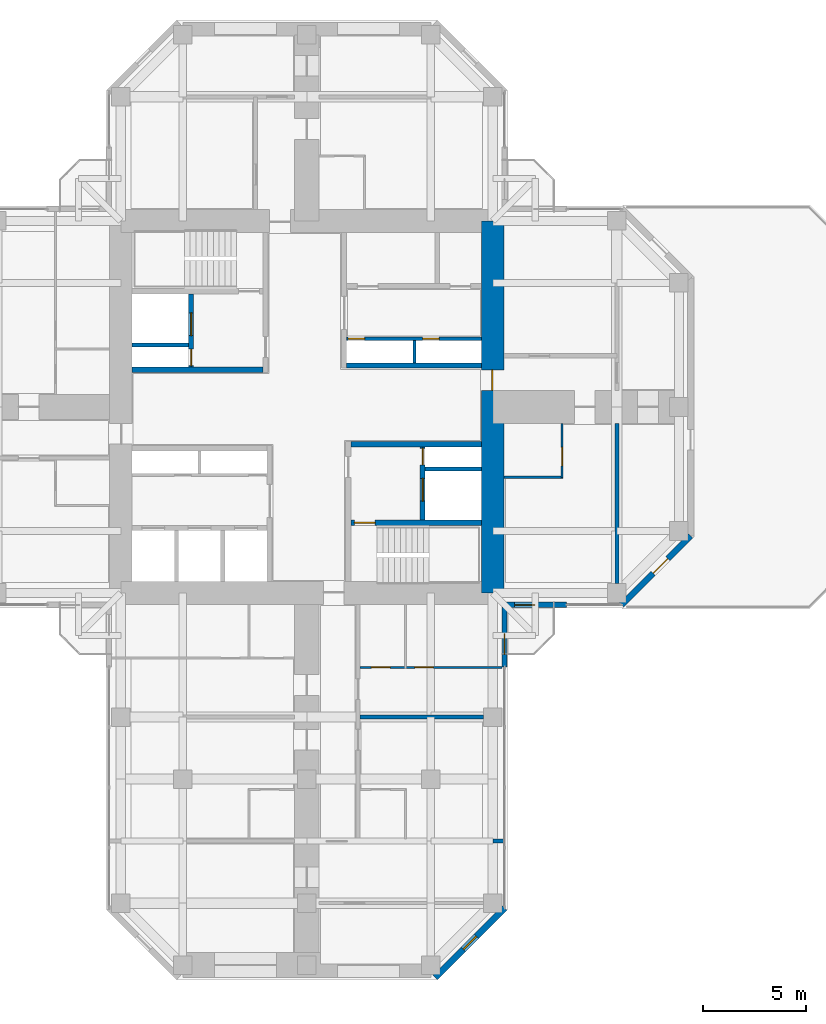
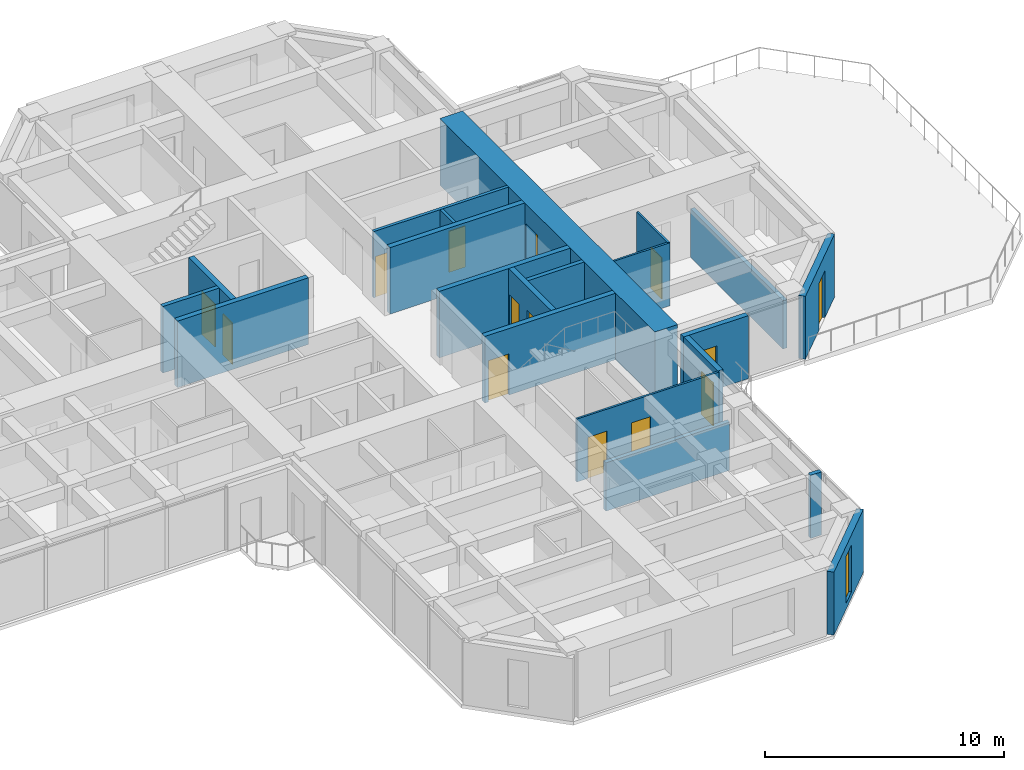
# One storey, part 10 of 14: 21 walls, 14 doors, 1 window, 15 openings.
"""IFC4 building model written with IfcOpenShell, lengths in metres."""

from ifc_helpers import new_model, si_unit, direction, frame, frame_2d, origin, place, context, subcontext, project, spatial, rectangle, hollow_rectangle, extrude, material, layer, layer_set, constituent, constituent_set, type_object, element, fill, save


model = new_model("IFC4")

# Units and contexts
model_context = context("Model", 3, precision=1e-05, world=origin(), true_north=direction((0.0, 1.0)))
body_context = subcontext(model_context, "Body", "Model", "MODEL_VIEW")
ifc_project = project(units=[si_unit("LENGTHUNIT", "METRE"), si_unit("AREAUNIT", "SQUARE_METRE"), si_unit("VOLUMEUNIT", "CUBIC_METRE"), si_unit("PLANEANGLEUNIT", "RADIAN"), si_unit("MASSUNIT", "GRAM", prefix="KILO")], contexts=[model_context])

# Site, building, storey
site_placement = place(None, origin())
site = spatial("IfcSite", under=ifc_project, at=site_placement, CompositionType="ELEMENT")
building_placement = place(site_placement, origin())
building = spatial("IfcBuilding", under=site, at=building_placement, Name="Torre Cruceta", CompositionType="ELEMENT")
storey_placement = place(building_placement, frame((0.0, 0.0, 169.5)))
storey = spatial("IfcBuildingStorey", under=building, at=storey_placement, Name="L41", CompositionType="ELEMENT", Elevation=169.5)

# Wall
ifc_material_1 = material(Name="Water-resistant plasterboard on steel studs", Category="steel")
ifc_layer_1 = layer(ifc_material_1, 0.10009765625)
ifc_layer_set_1 = layer_set([ifc_layer_1], Name="Water-resistant plasterboard on steel studs")
wall_type_1 = type_object("IfcWallType", Name="BATHROOM WALL 100", PredefinedType="PARTITIONING", material=ifc_layer_set_1)
wall_1_placement = place(storey_placement, frame((9.550048828125, -3.39990234375, 0.0), z_axis=(0.0, 0.0, 1.0), x_axis=(1.0, 0.0, 0.0)))
element("IfcWall", 1, at=wall_1_placement, inside=storey, type_object=wall_type_1, Name="PT4 L41-E-U1RBB", PredefinedType="PARTITIONING", context=body_context, shape_type="SweptSolid", body=[
    extrude(rectangle(XDim=2.849853515625, YDim=0.10009765625, at=frame_2d((1.4248046875, 0.0))), origin(), (0.0, 0.0, 1.0), 3.219970703125),
])

# Wall, opening, door
wall_2_placement = place(storey_placement, frame((12.35009765625, -3.39990234375, 0.0), z_axis=(0.0, 0.0, 1.0), x_axis=(0.0, 1.0, 0.0)))
wall_2 = element("IfcWall", 2, at=wall_2_placement, inside=storey, type_object=wall_type_1, Name="PT4 L41-E-U1RBS", PredefinedType="PARTITIONING", context=body_context, shape_type="SweptSolid", body=[
    extrude(rectangle(XDim=2.599853515625, YDim=0.10009765625, at=frame_2d((1.2998046875, 0.0))), origin(), (0.0, 0.0, 1.0), 3.219970703125),
])
opening_1_placement = place(wall_2_placement, frame((0.550048828125, 0.0, 0.0)))
opening_1 = element("IfcOpeningElement", 3, at=opening_1_placement, cuts=wall_2, Name="Opening D7", PredefinedType="OPENING", context=body_context, shape_type="SweptSolid", body=[
    extrude(rectangle(XDim=0.89990234375, YDim=2.10009765625, at=frame_2d((0.449951171875, 1.050048828125))), frame((0.0, 0.06005859375, 0.0), z_axis=(0.0, -1.0, 0.0), x_axis=(1.0, 0.0, 0.0)), (0.0, 0.0, 1.0), 0.1201171875),
])
ifc_material_2 = material(Name="Timber door", Category="wood")
door_type_1 = type_object("IfcDoorType", Name="BATHROOM DOOR 900X2100", OperationType="SINGLE_SWING_LEFT", PredefinedType="DOOR", material=ifc_material_2)
door_1_placement = place(opening_1_placement, origin())
door_1 = element("IfcDoor", 4, at=door_1_placement, inside=storey, type_object=door_type_1, Name="D7 L41-E-U1RBS-D1", OperationType="SINGLE_SWING_LEFT", OverallHeight=2.10009765625, OverallWidth=0.89990234375, PredefinedType="DOOR", context=body_context, shape_type="SweptSolid", body=[
    extrude(rectangle(XDim=0.89990234375, YDim=2.10009765625, at=frame_2d((0.449951171875, 1.050048828125))), frame((0.0, 0.02490234375, 0.0), z_axis=(0.0, -1.0, 0.0), x_axis=(1.0, 0.0, 0.0)), (0.0, 0.0, 1.0), 0.050048828125),
])
fill(opening_1, door_1)

# Wall, openings, doors
wall_3_placement = place(storey_placement, frame((2.574951171875, -12.60009765625, 0.0), z_axis=(0.0, 0.0, 1.0), x_axis=(1.0, 0.0, 0.0)))
wall_3 = element("IfcWall", 5, at=wall_3_placement, inside=storey, type_object=wall_type_1, Name="PT4 L41-S-U1LBS", PredefinedType="PARTITIONING", context=body_context, shape_type="SweptSolid", body=[
    extrude(rectangle(XDim=6.8701171875, YDim=0.10009765625, at=frame_2d((3.43505859375, 0.0))), origin(), (0.0, 0.0, 1.0), 3.219970703125),
])
opening_2_placement = place(wall_3_placement, frame((0.550048828125, 0.0, 0.0)))
opening_2 = element("IfcOpeningElement", 6, at=opening_2_placement, cuts=wall_3, Name="Opening D7", PredefinedType="OPENING", context=body_context, shape_type="SweptSolid", body=[
    extrude(rectangle(XDim=0.89990234375, YDim=2.10009765625, at=frame_2d((0.449951171875, 1.050048828125))), frame((0.0, 0.06005859375, 0.0), z_axis=(0.0, -1.0, 0.0), x_axis=(1.0, 0.0, 0.0)), (0.0, 0.0, 1.0), 0.1201171875),
])
opening_3_placement = place(wall_3_placement, frame((2.64990234375, 0.0, 0.0)))
opening_3 = element("IfcOpeningElement", 7, at=opening_3_placement, cuts=wall_3, Name="Opening D7", PredefinedType="OPENING", context=body_context, shape_type="SweptSolid", body=[
    extrude(rectangle(XDim=0.89990234375, YDim=2.10009765625, at=frame_2d((0.449951171875, 1.050048828125))), frame((0.0, 0.06005859375, 0.0), z_axis=(0.0, -1.0, 0.0), x_axis=(1.0, 0.0, 0.0)), (0.0, 0.0, 1.0), 0.1201171875),
])
door_2_placement = place(opening_2_placement, origin())
door_2 = element("IfcDoor", 8, at=door_2_placement, inside=storey, type_object=door_type_1, Name="D7 L41-S-U1LBS-D1", OperationType="SINGLE_SWING_LEFT", OverallHeight=2.10009765625, OverallWidth=0.89990234375, PredefinedType="DOOR", context=body_context, shape_type="SweptSolid", body=[
    extrude(rectangle(XDim=0.89990234375, YDim=2.10009765625, at=frame_2d((0.449951171875, 1.050048828125))), frame((0.0, 0.02490234375, 0.0), z_axis=(0.0, -1.0, 0.0), x_axis=(1.0, 0.0, 0.0)), (0.0, 0.0, 1.0), 0.050048828125),
])
fill(opening_2, door_2)
door_3_placement = place(opening_3_placement, origin())
door_3 = element("IfcDoor", 9, at=door_3_placement, inside=storey, type_object=door_type_1, Name="D7 L41-S-U1LBS-D2", OperationType="SINGLE_SWING_LEFT", OverallHeight=2.10009765625, OverallWidth=0.89990234375, PredefinedType="DOOR", context=body_context, shape_type="SweptSolid", body=[
    extrude(rectangle(XDim=0.89990234375, YDim=2.10009765625, at=frame_2d((0.449951171875, 1.050048828125))), frame((0.0, 0.02490234375, 0.0), z_axis=(0.0, -1.0, 0.0), x_axis=(1.0, 0.0, 0.0)), (0.0, 0.0, 1.0), 0.050048828125),
])
fill(opening_3, door_3)

# Walls
ifc_material_3 = material(Name="Concrete G60 (fck 60 MPa)", Category="concrete")
ifc_layer_2 = layer(ifc_material_3, 0.25)
ifc_layer_set_2 = layer_set([ifc_layer_2], Name="Concrete G60 (fck 60 MPa)")
wall_type_2 = type_object("IfcWallType", Name="CORE INNER WALL 250 G60", PredefinedType="SHEAR", material=ifc_layer_set_2)
wall_4_placement = place(storey_placement, frame((1.925048828125, 2.0, 0.0), z_axis=(0.0, 0.0, 1.0), x_axis=(1.0, 0.0, 0.0)))
element("IfcWall", 10, at=wall_4_placement, inside=storey, type_object=wall_type_2, Name="CW4 L41 NE-CV", PredefinedType="SHEAR", context=body_context, shape_type="SweptSolid", body=[
    extrude(rectangle(XDim=6.52490234375, YDim=0.25, at=frame_2d((3.262451171875, 0.0))), origin(), (0.0, 0.0, 1.0), 3.39990234375),
])
wall_5_placement = place(storey_placement, frame((-2.125, 1.800048828125, 0.0), z_axis=(0.0, 0.0, 1.0), x_axis=(-1.0, 0.0, 0.0)))
element("IfcWall", 11, at=wall_5_placement, inside=storey, type_object=wall_type_2, Name="CW4 L41 NW-CV", PredefinedType="SHEAR", context=body_context, shape_type="SweptSolid", body=[
    extrude(rectangle(XDim=6.324951171875, YDim=0.25, at=frame_2d((3.16259765625, 0.0))), origin(), (0.0, 0.0, 1.0), 3.39990234375),
])

# Wall, openings, doors
wall_6_placement = place(storey_placement, frame((-5.60009765625, 1.925048828125, 0.0), z_axis=(0.0, 0.0, 1.0), x_axis=(0.0, 1.0, 0.0)))
wall_6 = element("IfcWall", 12, at=wall_6_placement, inside=storey, type_object=wall_type_2, Name="CW4 L41 NW-FU", PredefinedType="SHEAR", context=body_context, shape_type="SweptSolid", body=[
    extrude(rectangle(XDim=3.550048828125, YDim=0.25, at=frame_2d((1.77490234375, 0.0))), origin(), (0.0, 0.0, 1.0), 3.39990234375),
])
opening_4_placement = place(wall_6_placement, frame((1.52490234375, 0.0, 0.0)))
opening_4 = element("IfcOpeningElement", 13, at=opening_4_placement, cuts=wall_6, Name="Opening LD1", PredefinedType="OPENING", context=body_context, shape_type="SweptSolid", body=[
    extrude(rectangle(XDim=1.10009765625, YDim=2.199951171875, at=frame_2d((0.550048828125, 1.10009765625))), frame((0.0, 0.135009765625, 0.0), z_axis=(0.0, -1.0, 0.0), x_axis=(1.0, 0.0, 0.0)), (0.0, 0.0, 1.0), 0.27001953125),
])
opening_5_placement = place(wall_6_placement, frame((0.074951171875, 0.0, 0.0)))
opening_5 = element("IfcOpeningElement", 14, at=opening_5_placement, cuts=wall_6, Name="Opening D5", PredefinedType="OPENING", context=body_context, shape_type="SweptSolid", body=[
    extrude(rectangle(XDim=0.800048828125, YDim=2.10009765625, at=frame_2d((0.39990234375, 1.050048828125))), frame((0.0, 0.135009765625, 0.0), z_axis=(0.0, -1.0, 0.0), x_axis=(1.0, 0.0, 0.0)), (0.0, 0.0, 1.0), 0.27001953125),
])
ifc_material_4 = material(Name="Stainless steel 1.4401", Category="steel")
door_type_2 = type_object("IfcDoorType", Name="LIFT LANDING DOOR 1100X2200", OperationType="DOUBLE_DOOR_SLIDING", PredefinedType="DOOR", material=ifc_material_4)
door_4_placement = place(opening_4_placement, origin())
door_4 = element("IfcDoor", 15, at=door_4_placement, inside=storey, type_object=door_type_2, Name="Lift landing door FL1", OperationType="DOUBLE_DOOR_SLIDING", OverallHeight=2.199951171875, OverallWidth=1.10009765625, PredefinedType="DOOR", context=body_context, shape_type="SweptSolid", body=[
    extrude(rectangle(XDim=1.10009765625, YDim=2.199951171875, at=frame_2d((0.550048828125, 1.10009765625))), frame((0.0, 0.02490234375, 0.0), z_axis=(0.0, -1.0, 0.0), x_axis=(1.0, 0.0, 0.0)), (0.0, 0.0, 1.0), 0.050048828125),
])
fill(opening_4, door_4)
ifc_material_5 = material(Name="Steel DX51D", Category="steel")
ifc_constituent_1 = constituent(ifc_material_5, Name="Leaf and frame")
ifc_material_6 = material(Name="Polyester powder coating", Category="paint")
ifc_constituent_2 = constituent(ifc_material_6, Name="Finish")
ifc_constituent_set_1 = constituent_set(constituents=[ifc_constituent_1, ifc_constituent_2], Name="Steel fire door")
door_type_3 = type_object("IfcDoorType", Name="RISER ACCESS DOOR 800X2100", OperationType="SINGLE_SWING_LEFT", PredefinedType="DOOR", material=ifc_constituent_set_1)
door_5_placement = place(opening_5_placement, origin())
door_5 = element("IfcDoor", 16, at=door_5_placement, inside=storey, type_object=door_type_3, Name="D5 L41 NW-RISER", OperationType="SINGLE_SWING_LEFT", OverallHeight=2.10009765625, OverallWidth=0.800048828125, PredefinedType="DOOR", context=body_context, shape_type="SweptSolid", body=[
    extrude(rectangle(XDim=0.800048828125, YDim=2.10009765625, at=frame_2d((0.39990234375, 1.050048828125))), frame((0.0, 0.02490234375, 0.0), z_axis=(0.0, -1.0, 0.0), x_axis=(1.0, 0.0, 0.0)), (0.0, 0.0, 1.0), 0.050048828125),
])
fill(opening_5, door_5)

# Wall
wall_7_placement = place(storey_placement, frame((2.125, -1.800048828125, 0.0), z_axis=(0.0, 0.0, 1.0), x_axis=(1.0, 0.0, 0.0)))
element("IfcWall", 17, at=wall_7_placement, inside=storey, type_object=wall_type_2, Name="CW4 L41 SE-CV", PredefinedType="SHEAR", context=body_context, shape_type="SweptSolid", body=[
    extrude(rectangle(XDim=6.324951171875, YDim=0.25, at=frame_2d((3.16259765625, 0.0))), origin(), (0.0, 0.0, 1.0), 3.39990234375),
])

# Wall, opening, door
wall_8_placement = place(storey_placement, frame((2.125, -5.60009765625, 0.0), z_axis=(0.0, 0.0, 1.0), x_axis=(1.0, 0.0, 0.0)))
wall_8 = element("IfcWall", 18, at=wall_8_placement, inside=storey, type_object=wall_type_2, Name="CW4 L41 SE-SV", PredefinedType="SHEAR", context=body_context, shape_type="SweptSolid", body=[
    extrude(rectangle(XDim=6.324951171875, YDim=0.25, at=frame_2d((3.16259765625, 0.0))), origin(), (0.0, 0.0, 1.0), 3.39990234375),
])
opening_6_placement = place(wall_8_placement, frame((0.175048828125, 0.0, 0.0)))
opening_6 = element("IfcOpeningElement", 19, at=opening_6_placement, cuts=wall_8, Name="Opening D3", PredefinedType="OPENING", context=body_context, shape_type="SweptSolid", body=[
    extrude(rectangle(XDim=1.0, YDim=2.10009765625, at=frame_2d((0.5, 1.050048828125))), frame((0.0, 0.135009765625, 0.0), z_axis=(0.0, -1.0, 0.0), x_axis=(1.0, 0.0, 0.0)), (0.0, 0.0, 1.0), 0.27001953125),
])
ifc_material_7 = material(Name="Steel DX51D", Category="steel")
ifc_constituent_3 = constituent(ifc_material_7, Name="Leaf and frame")
ifc_material_8 = material(Name="Polyester powder coating", Category="paint")
ifc_constituent_4 = constituent(ifc_material_8, Name="Finish")
ifc_constituent_set_2 = constituent_set(constituents=[ifc_constituent_3, ifc_constituent_4], Name="Steel fire door")
door_type_4 = type_object("IfcDoorType", Name="FIRE DOOR 1000X2100", OperationType="SINGLE_SWING_LEFT", PredefinedType="DOOR", material=ifc_constituent_set_2)
door_6_placement = place(opening_6_placement, frame((1.0, 0.0, 0.0), z_axis=(0.0, 0.0, 1.0), x_axis=(-1.0, 0.0, 0.0)))
door_6 = element("IfcDoor", 20, at=door_6_placement, inside=storey, type_object=door_type_4, Name="D3 L41 SE-STAIR", OperationType="SINGLE_SWING_RIGHT", OverallHeight=2.10009765625, OverallWidth=1.0, PredefinedType="DOOR", context=body_context, shape_type="SweptSolid", body=[
    extrude(rectangle(XDim=1.0, YDim=2.10009765625, at=frame_2d((0.5, 1.050048828125))), frame((0.0, 0.025146484375, 0.0), z_axis=(0.0, -1.0, 0.0), x_axis=(1.0, 0.0, 0.0)), (0.0, 0.0, 1.0), 0.050048828125),
])
fill(opening_6, door_6)

# Wall, openings, doors
wall_9_placement = place(storey_placement, frame((5.60009765625, -1.925048828125, 0.0), z_axis=(0.0, 0.0, 1.0), x_axis=(0.0, -1.0, 0.0)))
wall_9 = element("IfcWall", 21, at=wall_9_placement, inside=storey, type_object=wall_type_2, Name="CW4 L41 SE-FU", PredefinedType="SHEAR", context=body_context, shape_type="SweptSolid", body=[
    extrude(rectangle(XDim=3.550048828125, YDim=0.25, at=frame_2d((1.77490234375, 0.0))), origin(), (0.0, 0.0, 1.0), 3.39990234375),
])
opening_7_placement = place(wall_9_placement, frame((1.52490234375, 0.0, 0.0)))
opening_7 = element("IfcOpeningElement", 22, at=opening_7_placement, cuts=wall_9, Name="Opening LD1", PredefinedType="OPENING", context=body_context, shape_type="SweptSolid", body=[
    extrude(rectangle(XDim=1.10009765625, YDim=2.199951171875, at=frame_2d((0.550048828125, 1.10009765625))), frame((0.0, 0.135009765625, 0.0), z_axis=(0.0, -1.0, 0.0), x_axis=(1.0, 0.0, 0.0)), (0.0, 0.0, 1.0), 0.27001953125),
])
opening_8_placement = place(wall_9_placement, frame((0.074951171875, 0.0, 0.0)))
opening_8 = element("IfcOpeningElement", 23, at=opening_8_placement, cuts=wall_9, Name="Opening D5", PredefinedType="OPENING", context=body_context, shape_type="SweptSolid", body=[
    extrude(rectangle(XDim=0.800048828125, YDim=2.10009765625, at=frame_2d((0.39990234375, 1.050048828125))), frame((0.0, 0.135009765625, 0.0), z_axis=(0.0, -1.0, 0.0), x_axis=(1.0, 0.0, 0.0)), (0.0, 0.0, 1.0), 0.27001953125),
])
door_7_placement = place(opening_7_placement, origin())
door_7 = element("IfcDoor", 24, at=door_7_placement, inside=storey, type_object=door_type_2, Name="Lift landing door FL2", OperationType="DOUBLE_DOOR_SLIDING", OverallHeight=2.199951171875, OverallWidth=1.10009765625, PredefinedType="DOOR", context=body_context, shape_type="SweptSolid", body=[
    extrude(rectangle(XDim=1.10009765625, YDim=2.199951171875, at=frame_2d((0.550048828125, 1.10009765625))), frame((0.0, 0.02490234375, 0.0), z_axis=(0.0, -1.0, 0.0), x_axis=(1.0, 0.0, 0.0)), (0.0, 0.0, 1.0), 0.050048828125),
])
fill(opening_7, door_7)
door_8_placement = place(opening_8_placement, origin())
door_8 = element("IfcDoor", 25, at=door_8_placement, inside=storey, type_object=door_type_3, Name="D5 L41 SE-RISER", OperationType="SINGLE_SWING_LEFT", OverallHeight=2.10009765625, OverallWidth=0.800048828125, PredefinedType="DOOR", context=body_context, shape_type="SweptSolid", body=[
    extrude(rectangle(XDim=0.800048828125, YDim=2.10009765625, at=frame_2d((0.39990234375, 1.050048828125))), frame((0.0, 0.02490234375, 0.0), z_axis=(0.0, -1.0, 0.0), x_axis=(1.0, 0.0, 0.0)), (0.0, 0.0, 1.0), 0.050048828125),
])
fill(opening_8, door_8)

# Wall, opening, door
ifc_material_9 = material(Name="Concrete G60 (fck 60 MPa)", Category="concrete")
ifc_layer_3 = layer(ifc_material_9, 1.10009765625)
ifc_layer_set_3 = layer_set([ifc_layer_3], Name="Concrete G60 (fck 60 MPa)")
wall_type_3 = type_object("IfcWallType", Name="CORE WALL 1100 G60", PredefinedType="SHEAR", material=ifc_layer_set_3)
wall_10_placement = place(storey_placement, frame((9.0, -9.0, 0.0), z_axis=(0.0, 0.0, 1.0), x_axis=(0.0, 1.0, 0.0)))
wall_10 = element("IfcWall", 26, at=wall_10_placement, inside=storey, type_object=wall_type_3, Name="CW2 L41 CW-E", PredefinedType="SHEAR", context=body_context, shape_type="SweptSolid", body=[
    extrude(rectangle(XDim=18.0, YDim=1.10009765625, at=frame_2d((9.0, 0.0))), origin(), (0.0, 0.0, 1.0), 3.39990234375),
])
opening_9_placement = place(wall_10_placement, frame((9.800048828125, 0.0, 0.0)))
opening_9 = element("IfcOpeningElement", 27, at=opening_9_placement, cuts=wall_10, Name="Opening D4", PredefinedType="OPENING", context=body_context, shape_type="SweptSolid", body=[
    extrude(rectangle(XDim=1.0, YDim=2.39990234375, at=frame_2d((0.5, 1.199951171875))), frame((0.0, 0.56005859375, 0.0), z_axis=(0.0, -1.0, 0.0), x_axis=(1.0, 0.0, 0.0)), (0.0, 0.0, 1.0), 1.1201171875),
])
ifc_material_10 = material(Name="Steel DX51D", Category="steel")
ifc_constituent_5 = constituent(ifc_material_10, Name="Leaf and frame")
ifc_material_11 = material(Name="Polyester powder coating", Category="paint")
ifc_constituent_6 = constituent(ifc_material_11, Name="Finish")
ifc_constituent_set_3 = constituent_set(constituents=[ifc_constituent_5, ifc_constituent_6], Name="Steel fire door")
door_type_5 = type_object("IfcDoorType", Name="CORE ARM DOOR 1000X2400", OperationType="SINGLE_SWING_RIGHT", PredefinedType="DOOR", material=ifc_constituent_set_3)
door_9_placement = place(opening_9_placement, origin())
door_9 = element("IfcDoor", 28, at=door_9_placement, inside=storey, type_object=door_type_5, Name="D4 L41 CW-E", OperationType="SINGLE_SWING_RIGHT", OverallHeight=2.39990234375, OverallWidth=1.0, PredefinedType="DOOR", context=body_context, shape_type="SweptSolid", body=[
    extrude(rectangle(XDim=1.0, YDim=2.39990234375, at=frame_2d((0.5, 1.199951171875))), frame((0.0, 0.05517578125, 0.0), z_axis=(0.0, -1.0, 0.0), x_axis=(1.0, 0.0, 0.0)), (0.0, 0.0, 1.0), 0.050048828125),
])
fill(opening_9, door_9)

ifc_material_12 = material(Name="Concrete G30 (fck 30 MPa)", Category="concrete")
ifc_layer_4 = layer(ifc_material_12, 0.300048828125)
ifc_layer_set_4 = layer_set([ifc_layer_4], Name="Concrete G30 (fck 30 MPa)")
wall_type_4 = type_object("IfcWallType", Name="EXPOSED CONCRETE FACADE WALL 300", PredefinedType="SOLIDWALL", material=ifc_layer_set_4)
wall_11_placement = place(storey_placement, frame((15.236083984375, -9.570068359375, 0.0), z_axis=(0.0, 0.0, 1.0), x_axis=(0.707106781187, 0.707106781187, 0.0)))
wall_11 = element("IfcWall", 29, at=wall_11_placement, inside=storey, type_object=wall_type_4, Name="EW1 facade wall L41 E chamfer 01", PredefinedType="SOLIDWALL", context=body_context, shape_type="SweptSolid", body=[
    extrude(rectangle(XDim=4.715087890625, YDim=0.300048828125, at=frame_2d((2.357421875, 0.0))), origin(), (0.0, 0.0, 1.0), 3.219970703125),
])
opening_10_placement = place(wall_11_placement, frame((2.14990234375, 0.0, 0.0)))
opening_10 = element("IfcOpeningElement", 30, at=opening_10_placement, cuts=wall_11, Name="Opening D11", PredefinedType="OPENING", context=body_context, shape_type="SweptSolid", body=[
    extrude(rectangle(XDim=1.0, YDim=2.39990234375, at=frame_2d((0.5, 1.199951171875))), frame((0.0, 0.159912109375, 0.0), z_axis=(0.0, -1.0, 0.0), x_axis=(1.0, 0.0, 0.0)), (0.0, 0.0, 1.0), 0.320068359375),
])
ifc_material_13 = material(Name="Aluminium door frame", Category="aluminium")
ifc_constituent_7 = constituent(ifc_material_13, Name="Frame")
ifc_material_14 = material(Name="Laminated safety glass", Category="glass")
ifc_constituent_8 = constituent(ifc_material_14, Name="Glazing")
ifc_constituent_set_4 = constituent_set(constituents=[ifc_constituent_7, ifc_constituent_8], Name="Aluminium glazed door")
door_type_6 = type_object("IfcDoorType", Name="TERRACE DOOR 1000X2400", OperationType="SINGLE_SWING_LEFT", PredefinedType="DOOR", material=ifc_constituent_set_4)
door_10_placement = place(opening_10_placement, origin())
door_10 = element("IfcDoor", 31, at=door_10_placement, inside=storey, type_object=door_type_6, Name="D11 terrace door L41 E", OperationType="SINGLE_SWING_RIGHT", OverallHeight=2.39990234375, OverallWidth=1.0, PredefinedType="DOOR", context=body_context, shape_type="SweptSolid", body=[
    extrude(hollow_rectangle(XDim=1.0, YDim=2.39990234375, WallThickness=0.06005859375, at=frame_2d((0.5, 1.199951171875))), frame((0.0, 0.02490234375, 0.0), z_axis=(0.0, -1.0, 0.0), x_axis=(1.0, 0.0, 0.0)), (0.0, 0.0, 1.0), 0.050048828125),
    extrude(rectangle(XDim=0.87890625, YDim=2.27880859375, at=frame_2d((0.5, 1.199951171875))), frame((0.0, 0.02490234375, 0.0), z_axis=(0.0, -1.0, 0.0), x_axis=(1.0, 0.0, 0.0)), (0.0, 0.0, 1.0), 0.050048828125),
])
fill(opening_10, door_10)

# Wall, opening, window
wall_12_placement = place(storey_placement, frame((6.2060546875, -27.60009765625, 0.0), z_axis=(0.0, 0.0, 1.0), x_axis=(0.707106781187, 0.707106781187, 0.0)))
wall_12 = element("IfcWall", 32, at=wall_12_placement, inside=storey, type_object=wall_type_4, Name="EW1 facade wall L41 S chamfer 18", PredefinedType="SOLIDWALL", context=body_context, shape_type="SweptSolid", body=[
    extrude(rectangle(XDim=4.75732421875, YDim=0.300048828125, at=frame_2d((2.378662109375, 0.0))), origin(), (0.0, 0.0, 1.0), 3.219970703125),
])
opening_11_placement = place(wall_12_placement, frame((1.9287109375, 0.0, 0.300048828125)))
opening_11 = element("IfcOpeningElement", 33, at=opening_11_placement, cuts=wall_12, Name="Opening WN5", PredefinedType="OPENING", context=body_context, shape_type="SweptSolid", body=[
    extrude(rectangle(XDim=0.89990234375, YDim=2.39990234375, at=frame_2d((0.449951171875, 1.199951171875))), frame((0.0, 0.159912109375, 0.0), z_axis=(0.0, -1.0, 0.0), x_axis=(1.0, 0.0, 0.0)), (0.0, 0.0, 1.0), 0.320068359375),
])
ifc_material_15 = material(Name="Aluminium window frame", Category="aluminium")
ifc_constituent_9 = constituent(ifc_material_15, Name="Frame")
ifc_material_16 = material(Name="Laminated insulating glass unit, low-iron clear", Category="glass")
ifc_constituent_10 = constituent(ifc_material_16, Name="Glazing")
ifc_constituent_set_5 = constituent_set(constituents=[ifc_constituent_9, ifc_constituent_10], Name="Aluminium window")
window_type = type_object("IfcWindowType", Name="CHAMFER SLOT WINDOW 900X2400", PartitioningType="SINGLE_PANEL", PredefinedType="WINDOW", material=ifc_constituent_set_5)
window_placement = place(opening_11_placement, origin())
window = element("IfcWindow", 34, at=window_placement, inside=storey, type_object=window_type, Name="WN5 L41 S 1", OverallHeight=2.39990234375, OverallWidth=0.89990234375, PartitioningType="SINGLE_PANEL", PredefinedType="WINDOW", context=body_context, shape_type="SweptSolid", body=[
    extrude(hollow_rectangle(XDim=0.89990234375, YDim=2.39990234375, WallThickness=0.06005859375, at=frame_2d((0.449951171875, 1.199951171875))), frame((0.0, 0.030029296875, 0.0), z_axis=(0.0, -1.0, 0.0), x_axis=(1.0, 0.0, 0.0)), (0.0, 0.0, 1.0), 0.06005859375),
    extrude(rectangle(XDim=0.77880859375, YDim=2.27880859375, at=frame_2d((0.449951171875, 1.199951171875))), frame((0.0, 0.030029296875, 0.0), z_axis=(0.0, -1.0, 0.0), x_axis=(1.0, 0.0, 0.0)), (0.0, 0.0, 1.0), 0.06005859375),
])
fill(opening_11, window)

# Walls
ifc_material_17 = material(Name="Concrete G35 (fck 35 MPa)", Category="concrete")
ifc_layer_5 = layer(ifc_material_17, 0.199951171875)
ifc_layer_set_5 = layer_set([ifc_layer_5], Name="Concrete G35 (fck 35 MPa)")
wall_type_5 = type_object("IfcWallType", Name="LIFT SHAFT WALL 200", PredefinedType="PARTITIONING", material=ifc_layer_set_5)
for number, where, z_axis, x_axis, name in (
    (35, (-5.72509765625, 3.0, 0.0), (0.0, 0.0, 1.0), (-1.0, 0.0, 0.0), "SW1 L41 NW-FR"),
    (36, (5.72509765625, -3.0, 0.0), (0.0, 0.0, 1.0), (1.0, 0.0, 0.0), "SW1 L41 SE-FR"),
):
    element("IfcWall", number, at=place(storey_placement, frame(where, z_axis=z_axis, x_axis=x_axis)), inside=storey, type_object=wall_type_5, Name=name, PredefinedType="PARTITIONING", context=body_context, shape_type="SweptSolid", body=[
        extrude(rectangle(XDim=2.724853515625, YDim=0.199951171875, at=frame_2d((1.3623046875, 0.0))), origin(), (0.0, 0.0, 1.0), 3.39990234375),
    ])

# Wall, openings, doors
ifc_material_18 = material(Name="Concrete block masonry", Category="masonry")
ifc_layer_6 = layer(ifc_material_18, 0.14990234375)
ifc_layer_set_6 = layer_set([ifc_layer_6], Name="Concrete block masonry")
wall_type_6 = type_object("IfcWallType", Name="RISER WALL 150", PredefinedType="PARTITIONING", material=ifc_layer_set_6)
wall_13_placement = place(storey_placement, frame((1.925048828125, 3.300048828125, 0.0), z_axis=(0.0, 0.0, 1.0), x_axis=(1.0, 0.0, 0.0)))
wall_13 = element("IfcWall", 37, at=wall_13_placement, inside=storey, type_object=wall_type_6, Name="SW7 L41 NE-RV", PredefinedType="PARTITIONING", context=body_context, shape_type="SweptSolid", body=[
    extrude(rectangle(XDim=6.52490234375, YDim=0.14990234375, at=frame_2d((3.262451171875, 0.0))), origin(), (0.0, 0.0, 1.0), 3.39990234375),
])
opening_12_placement = place(wall_13_placement, frame((0.074951171875, 0.0, 0.0)))
opening_12 = element("IfcOpeningElement", 38, at=opening_12_placement, cuts=wall_13, Name="Opening D5", PredefinedType="OPENING", context=body_context, shape_type="SweptSolid", body=[
    extrude(rectangle(XDim=0.800048828125, YDim=2.10009765625, at=frame_2d((0.39990234375, 1.050048828125))), frame((0.0, 0.0849609375, 0.0), z_axis=(0.0, -1.0, 0.0), x_axis=(1.0, 0.0, 0.0)), (0.0, 0.0, 1.0), 0.169921875),
])
opening_13_placement = place(wall_13_placement, frame((3.675048828125, 0.0, 0.0)))
opening_13 = element("IfcOpeningElement", 39, at=opening_13_placement, cuts=wall_13, Name="Opening D5", PredefinedType="OPENING", context=body_context, shape_type="SweptSolid", body=[
    extrude(rectangle(XDim=0.800048828125, YDim=2.10009765625, at=frame_2d((0.39990234375, 1.050048828125))), frame((0.0, 0.0849609375, 0.0), z_axis=(0.0, -1.0, 0.0), x_axis=(1.0, 0.0, 0.0)), (0.0, 0.0, 1.0), 0.169921875),
])
door_11_placement = place(opening_12_placement, frame((0.800048828125, 0.0, 0.0), z_axis=(0.0, 0.0, 1.0), x_axis=(-1.0, 0.0, 0.0)))
door_11 = element("IfcDoor", 40, at=door_11_placement, inside=storey, type_object=door_type_3, Name="D5 L41 NE-RISER1", OperationType="SINGLE_SWING_RIGHT", OverallHeight=2.10009765625, OverallWidth=0.800048828125, PredefinedType="DOOR", context=body_context, shape_type="SweptSolid", body=[
    extrude(rectangle(XDim=0.800048828125, YDim=2.10009765625, at=frame_2d((0.400146484375, 1.050048828125))), frame((0.0, 0.025146484375, 0.0), z_axis=(0.0, -1.0, 0.0), x_axis=(1.0, 0.0, 0.0)), (0.0, 0.0, 1.0), 0.050048828125),
])
fill(opening_12, door_11)
door_12_placement = place(opening_13_placement, frame((0.800048828125, 0.0, 0.0), z_axis=(0.0, 0.0, 1.0), x_axis=(-1.0, 0.0, 0.0)))
door_12 = element("IfcDoor", 41, at=door_12_placement, inside=storey, type_object=door_type_3, Name="D5 L41 NE-RISER2", OperationType="SINGLE_SWING_RIGHT", OverallHeight=2.10009765625, OverallWidth=0.800048828125, PredefinedType="DOOR", context=body_context, shape_type="SweptSolid", body=[
    extrude(rectangle(XDim=0.800048828125, YDim=2.10009765625, at=frame_2d((0.400146484375, 1.050048828125))), frame((0.0, 0.025146484375, 0.0), z_axis=(0.0, -1.0, 0.0), x_axis=(1.0, 0.0, 0.0)), (0.0, 0.0, 1.0), 0.050048828125),
])
fill(opening_13, door_12)

# Walls
wall_14_placement = place(storey_placement, frame((5.199951171875, 2.125, 0.0), z_axis=(0.0, 0.0, 1.0), x_axis=(0.0, 1.0, 0.0)))
element("IfcWall", 42, at=wall_14_placement, inside=storey, type_object=wall_type_6, Name="SW7 L41 NE-RU", PredefinedType="PARTITIONING", context=body_context, shape_type="SweptSolid", body=[
    extrude(rectangle(XDim=1.10009765625, YDim=0.14990234375, at=frame_2d((0.550048828125, 0.0))), origin(), (0.0, 0.0, 1.0), 3.39990234375),
])
ifc_material_19 = material(Name="Concrete G25 (fck 25 MPa)", Category="concrete")
ifc_layer_7 = layer(ifc_material_19, 0.199951171875)
ifc_layer_set_7 = layer_set([ifc_layer_7], Name="Concrete G25 (fck 25 MPa)")
wall_type_7 = type_object("IfcWallType", Name="UNIT SEPARATING WALL 200", PredefinedType="SOLIDWALL", material=ifc_layer_set_7)
wall_15_placement = place(storey_placement, frame((15.0, -8.550048828125, 0.0), z_axis=(0.0, 0.0, 1.0), x_axis=(0.0, 1.0, 0.0)))
element("IfcWall", 43, at=wall_15_placement, inside=storey, type_object=wall_type_7, Name="PT2 L41-E-ENDa", PredefinedType="SOLIDWALL", context=body_context, shape_type="SweptSolid", body=[
    extrude(rectangle(XDim=7.75, YDim=0.199951171875, at=frame_2d((3.875, 0.0))), origin(), (0.0, 0.0, 1.0), 2.469970703125),
])
wall_16_placement = place(storey_placement, frame((2.574951171875, -15.0, 0.0), z_axis=(0.0, 0.0, 1.0), x_axis=(1.0, 0.0, 0.0)))
element("IfcWall", 44, at=wall_16_placement, inside=storey, type_object=wall_type_7, Name="PT2 L41-S-P1L", PredefinedType="SOLIDWALL", context=body_context, shape_type="SweptSolid", body=[
    extrude(rectangle(XDim=5.97509765625, YDim=0.199951171875, at=frame_2d((2.987548828125, 0.0))), origin(), (0.0, 0.0, 1.0), 2.469970703125),
])
wall_17_placement = place(storey_placement, frame((9.0, -21.0, 0.0), z_axis=(0.0, 0.0, 1.0), x_axis=(1.0, 0.0, 0.0)))
element("IfcWall", 45, at=wall_17_placement, inside=storey, type_object=wall_type_7, Name="PT2 L41-S-ENDb 2", PredefinedType="SOLIDWALL", context=body_context, shape_type="SweptSolid", body=[
    extrude(rectangle(XDim=0.530029296875, YDim=0.199951171875, at=frame_2d((0.26513671875, 0.0))), origin(), (0.0, 0.0, 1.0), 3.219970703125),
])

# Wall, opening, door
ifc_material_20 = material(Name="Concrete G30 (fck 30 MPa)", Category="concrete")
ifc_layer_8 = layer(ifc_material_20, 0.25)
ifc_layer_set_8 = layer_set([ifc_layer_8], Name="Concrete G30 (fck 30 MPa)")
wall_type_8 = type_object("IfcWallType", Name="WINTER GARDEN WALL 250", PredefinedType="SOLIDWALL", material=ifc_layer_set_8)
wall_18_placement = place(storey_placement, frame((9.445068359375, -9.570068359375, 0.0), z_axis=(0.0, 0.0, 1.0), x_axis=(1.0, 0.0, 0.0)))
wall_18 = element("IfcWall", 46, at=wall_18_placement, inside=storey, type_object=wall_type_8, Name="EW2 winter garden wall L41 00", PredefinedType="SOLIDWALL", context=body_context, shape_type="SweptSolid", body=[
    extrude(rectangle(XDim=3.125, YDim=0.25, at=frame_2d((1.5625, 0.0))), origin(), (0.0, 0.0, 1.0), 3.219970703125),
])
opening_14_placement = place(wall_18_placement, frame((0.60009765625, 0.0, 0.0)))
opening_14 = element("IfcOpeningElement", 47, at=opening_14_placement, cuts=wall_18, Name="Opening D10", PredefinedType="OPENING", context=body_context, shape_type="SweptSolid", body=[
    extrude(rectangle(XDim=1.0, YDim=2.199951171875, at=frame_2d((0.5, 1.10009765625))), frame((0.0, 0.135009765625, 0.0), z_axis=(0.0, -1.0, 0.0), x_axis=(1.0, 0.0, 0.0)), (0.0, 0.0, 1.0), 0.27001953125),
])
ifc_material_21 = material(Name="Aluminium door frame", Category="aluminium")
ifc_constituent_11 = constituent(ifc_material_21, Name="Frame")
ifc_material_22 = material(Name="Laminated safety glass", Category="glass")
ifc_constituent_12 = constituent(ifc_material_22, Name="Glazing")
ifc_constituent_set_6 = constituent_set(constituents=[ifc_constituent_11, ifc_constituent_12], Name="Aluminium glazed door")
door_type_7 = type_object("IfcDoorType", Name="BALCONY DOOR 1000X2200", OperationType="SINGLE_SWING_RIGHT", PredefinedType="DOOR", material=ifc_constituent_set_6)
door_13_placement = place(opening_14_placement, origin())
door_13 = element("IfcDoor", 48, at=door_13_placement, inside=storey, type_object=door_type_7, Name="D10 balcony door L41 00", OperationType="SINGLE_SWING_LEFT", OverallHeight=2.199951171875, OverallWidth=1.0, PredefinedType="DOOR", context=body_context, shape_type="SweptSolid", body=[
    extrude(hollow_rectangle(XDim=1.0, YDim=2.199951171875, WallThickness=0.06005859375, at=frame_2d((0.5, 1.10009765625))), frame((0.0, 0.02490234375, 0.0), z_axis=(0.0, -1.0, 0.0), x_axis=(1.0, 0.0, 0.0)), (0.0, 0.0, 1.0), 0.050048828125),
    extrude(rectangle(XDim=0.87890625, YDim=2.078857421875, at=frame_2d((0.5, 1.10009765625))), frame((0.0, 0.02490234375, 0.0), z_axis=(0.0, -1.0, 0.0), x_axis=(1.0, 0.0, 0.0)), (0.0, 0.0, 1.0), 0.050048828125),
])
fill(opening_14, door_13)

wall_19_placement = place(storey_placement, frame((9.570068359375, -12.570068359375, 0.0), z_axis=(0.0, 0.0, 1.0), x_axis=(0.0, 1.0, 0.0)))
wall_19 = element("IfcWall", 49, at=wall_19_placement, inside=storey, type_object=wall_type_8, Name="EW2 winter garden wall L41 19", PredefinedType="SOLIDWALL", context=body_context, shape_type="SweptSolid", body=[
    extrude(rectangle(XDim=2.875, YDim=0.25, at=frame_2d((1.4375, 0.0))), origin(), (0.0, 0.0, 1.0), 3.219970703125),
])
opening_15_placement = place(wall_19_placement, frame((0.60009765625, 0.0, 0.0)))
opening_15 = element("IfcOpeningElement", 50, at=opening_15_placement, cuts=wall_19, Name="Opening D10", PredefinedType="OPENING", context=body_context, shape_type="SweptSolid", body=[
    extrude(rectangle(XDim=1.0, YDim=2.199951171875, at=frame_2d((0.5, 1.10009765625))), frame((0.0, 0.135009765625, 0.0), z_axis=(0.0, -1.0, 0.0), x_axis=(1.0, 0.0, 0.0)), (0.0, 0.0, 1.0), 0.27001953125),
])
door_14_placement = place(opening_15_placement, origin())
door_14 = element("IfcDoor", 51, at=door_14_placement, inside=storey, type_object=door_type_7, Name="D10 balcony door L41 19", OperationType="SINGLE_SWING_LEFT", OverallHeight=2.199951171875, OverallWidth=1.0, PredefinedType="DOOR", context=body_context, shape_type="SweptSolid", body=[
    extrude(hollow_rectangle(XDim=1.0, YDim=2.199951171875, WallThickness=0.06005859375, at=frame_2d((0.5, 1.10009765625))), frame((0.0, 0.02490234375, 0.0), z_axis=(0.0, -1.0, 0.0), x_axis=(1.0, 0.0, 0.0)), (0.0, 0.0, 1.0), 0.050048828125),
    extrude(rectangle(XDim=0.87890625, YDim=2.078857421875, at=frame_2d((0.5, 1.10009765625))), frame((0.0, 0.02490234375, 0.0), z_axis=(0.0, -1.0, 0.0), x_axis=(1.0, 0.0, 0.0)), (0.0, 0.0, 1.0), 0.050048828125),
])
fill(opening_15, door_14)

save(model, "model.ifc")
